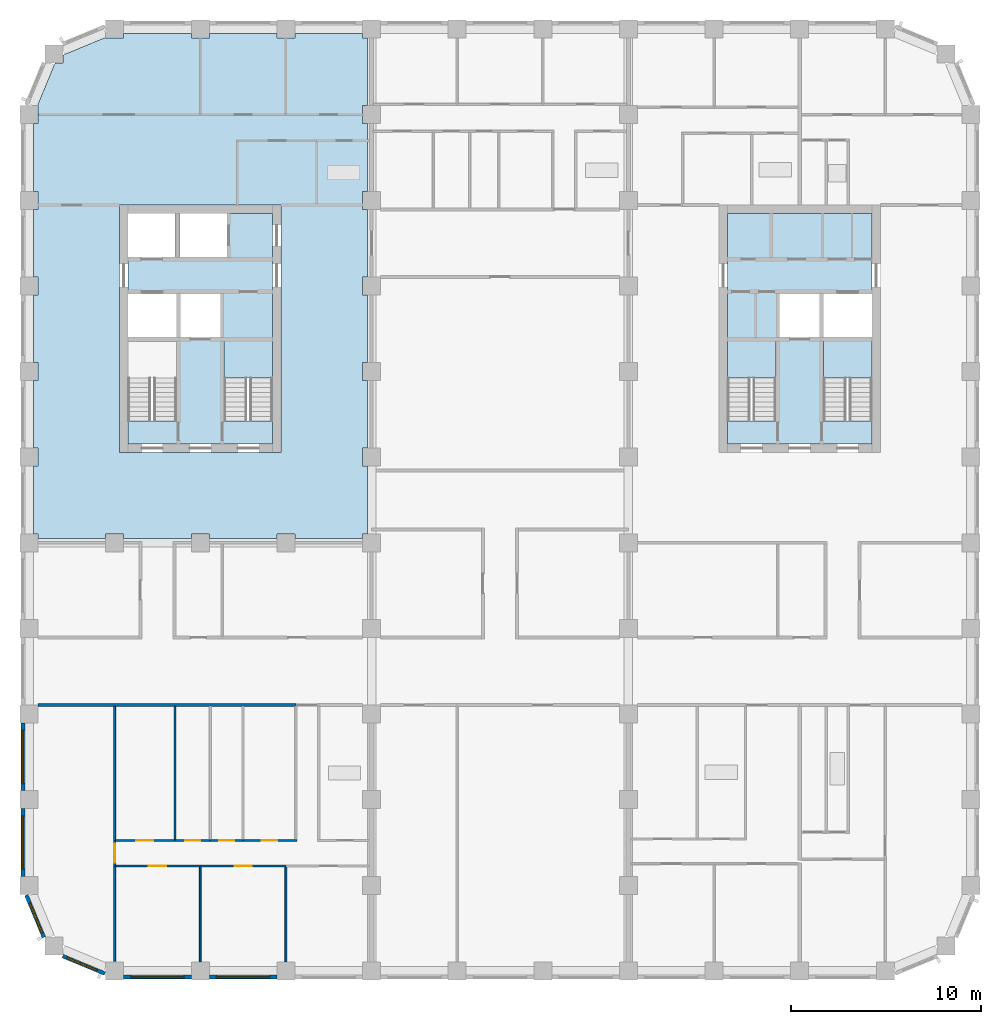
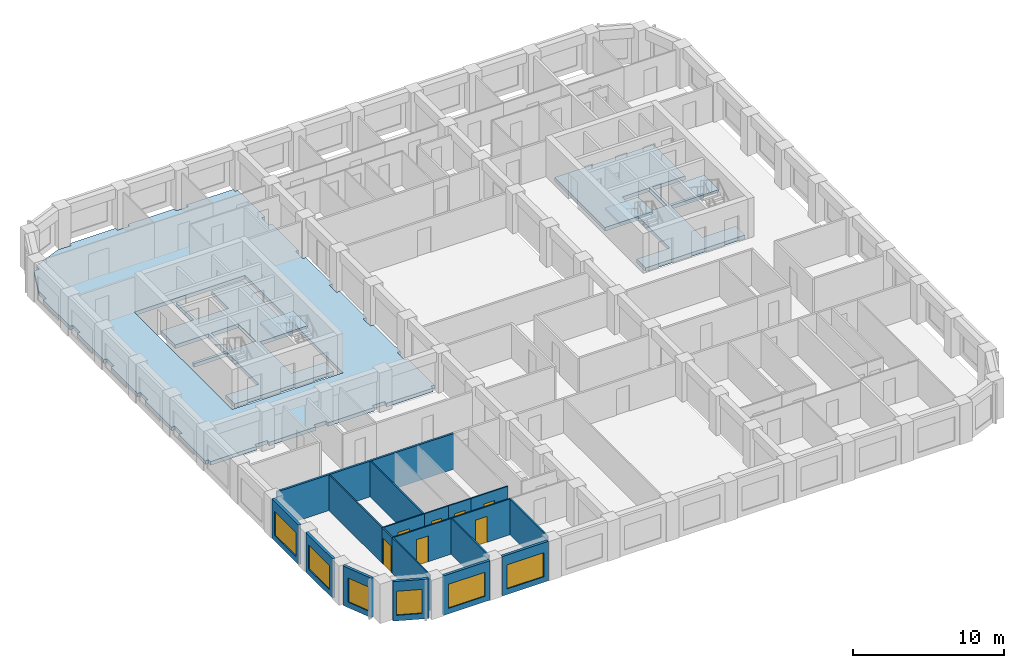
# One storey, part 2 of 13: 19 walls, 7 doors, 6 slabs, 6 windows, 13 openings, 3 elements without a shape of their own.
"""IFC4 building model written with IfcOpenShell, lengths in metres."""

from ifc_helpers import new_model, si_unit, direction, frame, frame_2d, origin, place, context, subcontext, project, spatial, polyline, rectangle, outline, extrude, material, layer, layer_set, type_object, element, fill, aggregate, save


model = new_model("IFC4")

# Units and contexts
model_context = context("Model", 3, precision=1e-05, world=origin(), true_north=direction((0.0, 1.0)))
body_context = subcontext(model_context, "Body", "Model", "MODEL_VIEW")
ifc_project = project(units=[si_unit("LENGTHUNIT", "METRE"), si_unit("AREAUNIT", "SQUARE_METRE"), si_unit("VOLUMEUNIT", "CUBIC_METRE"), si_unit("PLANEANGLEUNIT", "RADIAN"), si_unit("MASSUNIT", "GRAM", prefix="KILO")], contexts=[model_context])

# Site, building, storey
site_placement = place(None, origin())
site = spatial("IfcSite", under=ifc_project, at=site_placement, CompositionType="ELEMENT")
building_placement = place(site_placement, origin())
building = spatial("IfcBuilding", under=site, at=building_placement, Name="Girih Gate Residences", CompositionType="ELEMENT")
storey_placement = place(building_placement, frame((0.0, 0.0, 136.60009765625)))
storey = spatial("IfcBuildingStorey", under=building, at=storey_placement, Name="L38", CompositionType="ELEMENT", Elevation=136.60009765625)

# Slabs
ifc_material_1 = material(Name="Concrete C40/50", Category="concrete")
ifc_layer_1 = layer(ifc_material_1, 0.300048828125)
ifc_layer_set_1 = layer_set([ifc_layer_1], Name="Core floor slab 300")
slab_type_1 = type_object("IfcSlabType", Name="Core floor slab 300", PredefinedType="FLOOR", material=ifc_layer_set_1)
slab_1_placement = place(storey_placement, frame((0.0, 0.0, -0.300048828125)))
element("IfcSlab", 1, at=slab_1_placement, inside=storey, type_object=slab_type_1, Name="L38 W core floor", PredefinedType="FLOOR", context=body_context, shape_type="SweptSolid", body=[
    extrude(outline(polyline([(12.800048828125, 27.699951171875), (5.199951171875, 27.699951171875), (5.199951171875, 28.900634765625), (7.75, 28.900634765625), (7.75, 33.10009765625), (5.199951171875, 33.10009765625), (5.199951171875, 33.300048828125), (7.75, 33.300048828125), (7.75, 35.60009765625), (5.199951171875, 35.60009765625), (5.199951171875, 37.5), (7.699951171875, 37.5), (7.699951171875, 39.800048828125), (7.89990234375, 39.800048828125), (7.89990234375, 37.5), (10.39990234375, 37.5), (10.39990234375, 39.800048828125), (12.800048828125, 39.800048828125), (12.800048828125, 33.10009765625), (10.25, 33.10009765625), (10.25, 28.900634765625), (12.800048828125, 28.900634765625), (12.800048828125, 27.699951171875)]), holes=[polyline([(7.949951171875, 33.300048828125), (10.050048828125, 33.300048828125), (10.050048828125, 35.60009765625), (7.949951171875, 35.60009765625), (7.949951171875, 33.300048828125)])]), origin(), (0.0, 0.0, 1.0), 0.300048828125),
])
slab_2_placement = place(storey_placement, frame((0.0, 0.0, -0.300048828125)))
element("IfcSlab", 2, at=slab_2_placement, inside=storey, type_object=slab_type_1, Name="L38 E core floor", PredefinedType="FLOOR", context=body_context, shape_type="SweptSolid", body=[
    extrude(outline(polyline([(44.300048828125, 27.699951171875), (36.699951171875, 27.699951171875), (36.699951171875, 28.900634765625), (39.25, 28.900634765625), (39.25, 33.10009765625), (36.699951171875, 33.10009765625), (36.699951171875, 39.800048828125), (44.300048828125, 39.800048828125), (44.300048828125, 35.60009765625), (41.75, 35.60009765625), (41.75, 33.300048828125), (44.300048828125, 33.300048828125), (44.300048828125, 33.10009765625), (41.75, 33.10009765625), (41.75, 28.900634765625), (44.300048828125, 28.900634765625), (44.300048828125, 27.699951171875)]), holes=[polyline([(39.449951171875, 33.300048828125), (41.550048828125, 33.300048828125), (41.550048828125, 35.60009765625), (39.449951171875, 35.60009765625), (39.449951171875, 33.300048828125)])]), origin(), (0.0, 0.0, 1.0), 0.300048828125),
])
ifc_layer_2 = layer(ifc_material_1, 0.300048828125)
ifc_layer_set_2 = layer_set([ifc_layer_2], Name="Floor slab PT 300 Concrete C40/50")
slab_type_2 = type_object("IfcSlabType", Name="Floor slab PT 300 Concrete C40/50", PredefinedType="FLOOR", material=ifc_layer_set_2)
slab_3_placement = place(storey_placement, frame((0.0, 0.0, -0.300048828125)))
element("IfcSlab", 3, at=slab_3_placement, inside=storey, type_object=slab_type_2, Name="Floor slab L38 3", PredefinedType="FLOOR", context=body_context, shape_type="SweptSolid", body=[
    extrude(outline(polyline([(0.22509765625, 26.52490234375), (0.22509765625, 22.97509765625), (0.47509765625, 22.97509765625), (0.47509765625, 22.72509765625), (4.02490234375, 22.72509765625), (4.02490234375, 22.97509765625), (4.97509765625, 22.97509765625), (4.97509765625, 22.72509765625), (8.52490234375, 22.72509765625), (8.52490234375, 22.97509765625), (9.47509765625, 22.97509765625), (9.47509765625, 22.72509765625), (13.02490234375, 22.72509765625), (13.02490234375, 22.97509765625), (13.97509765625, 22.97509765625), (13.97509765625, 22.72509765625), (17.52490234375, 22.72509765625), (17.52490234375, 22.97509765625), (17.77490234375, 22.97509765625), (17.77490234375, 26.52490234375), (17.52490234375, 26.52490234375), (17.52490234375, 27.47509765625), (17.77490234375, 27.47509765625), (17.77490234375, 31.02490234375), (17.52490234375, 31.02490234375), (17.52490234375, 31.97509765625), (17.77490234375, 31.97509765625), (17.77490234375, 35.52490234375), (17.52490234375, 35.52490234375), (17.52490234375, 36.47509765625), (17.77490234375, 36.47509765625), (17.77490234375, 40.02490234375), (17.52490234375, 40.02490234375), (17.52490234375, 40.97509765625), (17.77490234375, 40.97509765625), (17.77490234375, 44.52490234375), (17.52490234375, 44.52490234375), (17.52490234375, 45.47509765625), (17.77490234375, 45.47509765625), (17.77490234375, 49.02490234375), (17.52490234375, 49.02490234375), (17.52490234375, 49.27490234375), (13.97509765625, 49.27490234375), (13.97509765625, 49.02490234375), (13.02490234375, 49.02490234375), (13.02490234375, 49.27490234375), (9.47509765625, 49.27490234375), (9.47509765625, 49.02490234375), (8.52490234375, 49.02490234375), (8.52490234375, 49.27490234375), (4.97509765625, 49.27490234375), (4.97509765625, 49.02490234375), (4.02490234375, 49.02490234375), (4.02490234375, 49.059814453125), (1.79296875, 48.13525390625), (1.79296875, 47.70703125), (1.36474609375, 47.70703125), (0.440185546875, 45.47509765625), (0.47509765625, 45.47509765625), (0.47509765625, 44.52490234375), (0.22509765625, 44.52490234375), (0.22509765625, 40.97509765625), (0.47509765625, 40.97509765625), (0.47509765625, 40.02490234375), (0.22509765625, 40.02490234375), (0.22509765625, 36.47509765625), (0.47509765625, 36.47509765625), (0.47509765625, 35.52490234375), (0.22509765625, 35.52490234375), (0.22509765625, 31.97509765625), (0.47509765625, 31.97509765625), (0.47509765625, 31.02490234375), (0.22509765625, 31.02490234375), (0.22509765625, 27.47509765625), (0.47509765625, 27.47509765625), (0.47509765625, 26.52490234375), (0.22509765625, 26.52490234375)]), holes=[polyline([(13.25, 40.25), (13.25, 27.25), (4.75, 27.25), (4.75, 40.25), (13.25, 40.25)])]), origin(), (0.0, 0.0, 1.0), 0.300048828125),
])

# Stair, slab
stair_type = type_object("IfcStairType", Name="Exit stair", PredefinedType="HALF_TURN_STAIR", material=ifc_material_1)
stair_1_placement = place(storey_placement, origin())
stair_1 = element("IfcStair", 4, at=stair_1_placement, inside=storey, type_object=stair_type, Name="L38 Exit Stair ST-W2", PredefinedType="HALF_TURN_STAIR")
ifc_layer_3 = layer(ifc_material_1, 0.199951171875)
ifc_layer_set_3 = layer_set([ifc_layer_3], Name="Stair landing 200")
slab_type_3 = type_object("IfcSlabType", Name="Stair landing 200", PredefinedType="LANDING", material=ifc_layer_set_3)
slab_4_placement = place(storey_placement, frame((0.0, 0.0, 1.39990234375)))
slab_4 = element("IfcSlab", 5, at=slab_4_placement, type_object=slab_type_3, Name="ST-W2 landing 1", PredefinedType="LANDING", context=body_context, shape_type="SweptSolid", body=[
    extrude(outline(polyline([(12.800048828125, 31.14990234375), (12.800048828125, 33.10009765625), (10.25, 33.10009765625), (10.25, 31.14990234375), (12.800048828125, 31.14990234375)])), origin(), (0.0, 0.0, 1.0), 0.199951171875),
])
aggregate(stair_1, [slab_4])

stair_2_placement = place(storey_placement, origin())
stair_2 = element("IfcStair", 6, at=stair_2_placement, inside=storey, type_object=stair_type, Name="L38 Exit Stair ST-E1", PredefinedType="HALF_TURN_STAIR")
slab_5_placement = place(storey_placement, frame((0.0, 0.0, 1.39990234375)))
slab_5 = element("IfcSlab", 7, at=slab_5_placement, type_object=slab_type_3, Name="ST-E1 landing 1", PredefinedType="LANDING", context=body_context, shape_type="SweptSolid", body=[
    extrude(outline(polyline([(44.300048828125, 31.14990234375), (44.300048828125, 33.10009765625), (41.75, 33.10009765625), (41.75, 31.14990234375), (44.300048828125, 31.14990234375)])), origin(), (0.0, 0.0, 1.0), 0.199951171875),
])
aggregate(stair_2, [slab_5])

stair_3_placement = place(storey_placement, origin())
stair_3 = element("IfcStair", 8, at=stair_3_placement, inside=storey, type_object=stair_type, Name="L38 Exit Stair ST-E2", PredefinedType="HALF_TURN_STAIR")
slab_6_placement = place(storey_placement, frame((0.0, 0.0, 1.39990234375)))
slab_6 = element("IfcSlab", 9, at=slab_6_placement, type_object=slab_type_3, Name="ST-E2 landing 1", PredefinedType="LANDING", context=body_context, shape_type="SweptSolid", body=[
    extrude(outline(polyline([(39.25, 31.14990234375), (39.25, 33.10009765625), (36.699951171875, 33.10009765625), (36.699951171875, 31.14990234375), (39.25, 31.14990234375)])), origin(), (0.0, 0.0, 1.0), 0.199951171875),
])
aggregate(stair_3, [slab_6])

# Walls
ifc_material_2 = material(Name="Gypsum board on steel studs", Category="steel")
ifc_layer_4 = layer(ifc_material_2, 0.14990234375)
ifc_layer_set_4 = layer_set([ifc_layer_4], Name="Compartment wall 150 mm")
wall_type_1 = type_object("IfcWallType", Name="Compartment wall 150 mm", PredefinedType="PARTITIONING", material=ifc_layer_set_4)
wall_1_placement = place(storey_placement, frame((0.47509765625, 13.97509765625, 0.0), z_axis=(0.0, 0.0, 1.0), x_axis=(1.0, 0.0, 0.0)))
element("IfcWall", 10, at=wall_1_placement, inside=storey, type_object=wall_type_1, Name="L38 partition", PredefinedType="PARTITIONING", context=body_context, shape_type="SweptSolid", body=[
    extrude(rectangle(XDim=13.5498046875, YDim=0.14990234375, at=frame_2d((6.77490234375, 0.0))), origin(), (0.0, 0.0, 1.0), 2.89990234375),
])
ifc_layer_5 = layer(ifc_material_2, 0.10009765625)
ifc_layer_set_5 = layer_set([ifc_layer_5], Name="Partition 100 mm")
wall_type_2 = type_object("IfcWallType", Name="Partition 100 mm", PredefinedType="PARTITIONING", material=ifc_layer_set_5)
wall_2_placement = place(storey_placement, frame((9.0, 0.47509765625, 0.0), z_axis=(0.0, 0.0, 1.0), x_axis=(0.0, 1.0, 0.0)))
element("IfcWall", 11, at=wall_2_placement, inside=storey, type_object=wall_type_2, Name="L38 partition", PredefinedType="PARTITIONING", context=body_context, shape_type="SweptSolid", body=[
    extrude(rectangle(XDim=4.989990234375, YDim=0.10009765625, at=frame_2d((2.4951171875, 0.0))), origin(), (0.0, 0.0, 1.0), 2.89990234375),
])

# Wall, opening, door
wall_3_placement = place(storey_placement, frame((9.0, 5.514892578125, 0.0), z_axis=(0.0, 0.0, 1.0), x_axis=(-1.0, 0.0, 0.0)))
wall_3 = element("IfcWall", 12, at=wall_3_placement, inside=storey, type_object=wall_type_2, Name="L38 partition", PredefinedType="PARTITIONING", context=body_context, shape_type="SweptSolid", body=[
    extrude(rectangle(XDim=4.449951171875, YDim=0.10009765625, at=frame_2d((2.22509765625, 0.0))), origin(), (0.0, 0.0, 1.0), 2.89990234375),
])
opening_1_placement = place(wall_3_placement, frame((1.800048828125, 0.0, 0.0)))
opening_1 = element("IfcOpeningElement", 13, at=opening_1_placement, cuts=wall_3, Name="Opening A38-002", PredefinedType="OPENING", context=body_context, shape_type="SweptSolid", body=[
    extrude(rectangle(XDim=0.89990234375, YDim=2.10009765625, at=frame_2d((0.449951171875, 1.050048828125))), frame((0.0, 0.06005859375, 0.0), z_axis=(0.0, -1.0, 0.0), x_axis=(1.0, 0.0, 0.0)), (0.0, 0.0, 1.0), 0.1201171875),
])
ifc_material_3 = material(Name="Timber", Category="wood")
door_type_1 = type_object("IfcDoorType", Name="Bedroom door 900x2100", OperationType="NOTDEFINED", PredefinedType="DOOR", material=ifc_material_3)
door_1_placement = place(opening_1_placement, origin())
door_1 = element("IfcDoor", 14, at=door_1_placement, inside=storey, type_object=door_type_1, Name="Door A38-002", OperationType="SINGLE_SWING_RIGHT", OverallHeight=2.10009765625, OverallWidth=0.89990234375, PredefinedType="DOOR", context=body_context, shape_type="SweptSolid", body=[
    extrude(rectangle(XDim=0.89990234375, YDim=2.10009765625, at=frame_2d((0.449951171875, 1.050048828125))), frame((0.0, 0.02490234375, 0.0), z_axis=(0.0, -1.0, 0.0), x_axis=(1.0, 0.0, 0.0)), (0.0, 0.0, 1.0), 0.050048828125),
])
fill(opening_1, door_1)

# Walls
wall_4_placement = place(storey_placement, frame((4.5, 0.51416015625, 0.0), z_axis=(0.0, 0.0, 1.0), x_axis=(0.0, 1.0, 0.0)))
element("IfcWall", 15, at=wall_4_placement, inside=storey, type_object=wall_type_2, Name="L38 partition", PredefinedType="PARTITIONING", context=body_context, shape_type="SweptSolid", body=[
    extrude(rectangle(XDim=5.000732421875, YDim=0.10009765625, at=frame_2d((2.50048828125, 0.0))), origin(), (0.0, 0.0, 1.0), 2.89990234375),
])
wall_5_placement = place(storey_placement, frame((13.5, 0.47509765625, 0.0), z_axis=(0.0, 0.0, 1.0), x_axis=(0.0, 1.0, 0.0)))
element("IfcWall", 16, at=wall_5_placement, inside=storey, type_object=wall_type_2, Name="L38 partition", PredefinedType="PARTITIONING", context=body_context, shape_type="SweptSolid", body=[
    extrude(rectangle(XDim=4.989990234375, YDim=0.10009765625, at=frame_2d((2.4951171875, 0.0))), origin(), (0.0, 0.0, 1.0), 2.89990234375),
])

# Wall, opening, door
wall_6_placement = place(storey_placement, frame((13.5, 5.514892578125, 0.0), z_axis=(0.0, 0.0, 1.0), x_axis=(-1.0, 0.0, 0.0)))
wall_6 = element("IfcWall", 17, at=wall_6_placement, inside=storey, type_object=wall_type_2, Name="L38 partition", PredefinedType="PARTITIONING", context=body_context, shape_type="SweptSolid", body=[
    extrude(rectangle(XDim=4.5, YDim=0.10009765625, at=frame_2d((2.25, 0.0))), origin(), (0.0, 0.0, 1.0), 2.89990234375),
])
opening_2_placement = place(wall_6_placement, frame((1.800048828125, 0.0, 0.0)))
opening_2 = element("IfcOpeningElement", 18, at=opening_2_placement, cuts=wall_6, Name="Opening A38-003", PredefinedType="OPENING", context=body_context, shape_type="SweptSolid", body=[
    extrude(rectangle(XDim=0.89990234375, YDim=2.10009765625, at=frame_2d((0.449951171875, 1.050048828125))), frame((0.0, 0.06005859375, 0.0), z_axis=(0.0, -1.0, 0.0), x_axis=(1.0, 0.0, 0.0)), (0.0, 0.0, 1.0), 0.1201171875),
])
door_2_placement = place(opening_2_placement, origin())
door_2 = element("IfcDoor", 19, at=door_2_placement, inside=storey, type_object=door_type_1, Name="Door A38-003", OperationType="SINGLE_SWING_LEFT", OverallHeight=2.10009765625, OverallWidth=0.89990234375, PredefinedType="DOOR", context=body_context, shape_type="SweptSolid", body=[
    extrude(rectangle(XDim=0.89990234375, YDim=2.10009765625, at=frame_2d((0.449951171875, 1.050048828125))), frame((0.0, 0.02490234375, 0.0), z_axis=(0.0, -1.0, 0.0), x_axis=(1.0, 0.0, 0.0)), (0.0, 0.0, 1.0), 0.050048828125),
])
fill(opening_2, door_2)

wall_7_placement = place(storey_placement, frame((11.24560546875, 6.85498046875, 0.0), z_axis=(0.0, 0.0, 1.0), x_axis=(1.0, 0.0, 0.0)))
wall_7 = element("IfcWall", 20, at=wall_7_placement, inside=storey, type_object=wall_type_2, Name="L38 partition", PredefinedType="PARTITIONING", context=body_context, shape_type="SweptSolid", body=[
    extrude(rectangle(XDim=2.829345703125, YDim=0.10009765625, at=frame_2d((1.41455078125, 0.0))), origin(), (0.0, 0.0, 1.0), 2.89990234375),
])
opening_3_placement = place(wall_7_placement, frame((0.98974609375, 0.0, 0.0)))
opening_3 = element("IfcOpeningElement", 21, at=opening_3_placement, cuts=wall_7, Name="Opening A38-005", PredefinedType="OPENING", context=body_context, shape_type="SweptSolid", body=[
    extrude(rectangle(XDim=0.800048828125, YDim=2.10009765625, at=frame_2d((0.39990234375, 1.050048828125))), frame((0.0, 0.06005859375, 0.0), z_axis=(0.0, -1.0, 0.0), x_axis=(1.0, 0.0, 0.0)), (0.0, 0.0, 1.0), 0.1201171875),
])
door_type_2 = type_object("IfcDoorType", Name="Store door 800x2100", OperationType="NOTDEFINED", PredefinedType="DOOR", material=ifc_material_3)
door_3_placement = place(opening_3_placement, origin())
door_3 = element("IfcDoor", 22, at=door_3_placement, inside=storey, type_object=door_type_2, Name="Door A38-005", OperationType="SINGLE_SWING_LEFT", OverallHeight=2.10009765625, OverallWidth=0.800048828125, PredefinedType="DOOR", context=body_context, shape_type="SweptSolid", body=[
    extrude(rectangle(XDim=0.800048828125, YDim=2.10009765625, at=frame_2d((0.39990234375, 1.050048828125))), frame((0.0, 0.02490234375, 0.0), z_axis=(0.0, -1.0, 0.0), x_axis=(1.0, 0.0, 0.0)), (0.0, 0.0, 1.0), 0.050048828125),
])
fill(opening_3, door_3)

wall_8_placement = place(storey_placement, frame((4.550048828125, 6.85498046875, 0.0), z_axis=(0.0, 0.0, 1.0), x_axis=(1.0, 0.0, 0.0)))
wall_8 = element("IfcWall", 23, at=wall_8_placement, inside=storey, type_object=wall_type_2, Name="L38 partition", PredefinedType="PARTITIONING", context=body_context, shape_type="SweptSolid", body=[
    extrude(rectangle(XDim=3.120361328125, YDim=0.10009765625, at=frame_2d((1.56005859375, 0.0))), origin(), (0.0, 0.0, 1.0), 2.89990234375),
])
opening_4_placement = place(wall_8_placement, frame((1.085205078125, 0.0, 0.0)))
opening_4 = element("IfcOpeningElement", 24, at=opening_4_placement, cuts=wall_8, Name="Opening A38-006", PredefinedType="OPENING", context=body_context, shape_type="SweptSolid", body=[
    extrude(rectangle(XDim=0.89990234375, YDim=2.10009765625, at=frame_2d((0.449951171875, 1.050048828125))), frame((0.0, 0.06005859375, 0.0), z_axis=(0.0, -1.0, 0.0), x_axis=(1.0, 0.0, 0.0)), (0.0, 0.0, 1.0), 0.1201171875),
])
door_type_3 = type_object("IfcDoorType", Name="Kitchen door 900x2100", OperationType="NOTDEFINED", PredefinedType="DOOR", material=ifc_material_3)
door_4_placement = place(opening_4_placement, origin())
door_4 = element("IfcDoor", 25, at=door_4_placement, inside=storey, type_object=door_type_3, Name="Door A38-006", OperationType="SINGLE_SWING_LEFT", OverallHeight=2.10009765625, OverallWidth=0.89990234375, PredefinedType="DOOR", context=body_context, shape_type="SweptSolid", body=[
    extrude(rectangle(XDim=0.89990234375, YDim=2.10009765625, at=frame_2d((0.449951171875, 1.050048828125))), frame((0.0, 0.02490234375, 0.0), z_axis=(0.0, -1.0, 0.0), x_axis=(1.0, 0.0, 0.0)), (0.0, 0.0, 1.0), 0.050048828125),
])
fill(opening_4, door_4)

wall_9_placement = place(storey_placement, frame((4.5, 5.514892578125, 0.0), z_axis=(0.0, 0.0, 1.0), x_axis=(0.0, 1.0, 0.0)))
wall_9 = element("IfcWall", 26, at=wall_9_placement, inside=storey, type_object=wall_type_2, Name="L38 partition", PredefinedType="PARTITIONING", context=body_context, shape_type="SweptSolid", body=[
    extrude(rectangle(XDim=1.340087890625, YDim=0.10009765625, at=frame_2d((0.669921875, 0.0))), origin(), (0.0, 0.0, 1.0), 2.89990234375),
])
opening_5_placement = place(wall_9_placement, frame((0.169921875, 0.0, 0.0)))
opening_5 = element("IfcOpeningElement", 27, at=opening_5_placement, cuts=wall_9, Name="Opening A38-007", PredefinedType="OPENING", context=body_context, shape_type="SweptSolid", body=[
    extrude(rectangle(XDim=1.0, YDim=2.10009765625, at=frame_2d((0.5, 1.050048828125))), frame((0.0, 0.06005859375, 0.0), z_axis=(0.0, -1.0, 0.0), x_axis=(1.0, 0.0, 0.0)), (0.0, 0.0, 1.0), 0.1201171875),
])
door_type_4 = type_object("IfcDoorType", Name="Living room door 1000x2100", OperationType="NOTDEFINED", PredefinedType="DOOR", material=ifc_material_3)
door_5_placement = place(opening_5_placement, origin())
door_5 = element("IfcDoor", 28, at=door_5_placement, inside=storey, type_object=door_type_4, Name="Door A38-007", OperationType="SINGLE_SWING_LEFT", OverallHeight=2.10009765625, OverallWidth=1.0, PredefinedType="DOOR", context=body_context, shape_type="SweptSolid", body=[
    extrude(rectangle(XDim=1.0, YDim=2.10009765625, at=frame_2d((0.5, 1.050048828125))), frame((0.0, 0.02490234375, 0.0), z_axis=(0.0, -1.0, 0.0), x_axis=(1.0, 0.0, 0.0)), (0.0, 0.0, 1.0), 0.050048828125),
])
fill(opening_5, door_5)

wall_10_placement = place(storey_placement, frame((9.5322265625, 6.85498046875, 0.0), z_axis=(0.0, 0.0, 1.0), x_axis=(1.0, 0.0, 0.0)))
wall_10 = element("IfcWall", 29, at=wall_10_placement, inside=storey, type_object=wall_type_2, Name="L38 partition", PredefinedType="PARTITIONING", context=body_context, shape_type="SweptSolid", body=[
    extrude(rectangle(XDim=1.71337890625, YDim=0.10009765625, at=frame_2d((0.856689453125, 0.0))), origin(), (0.0, 0.0, 1.0), 2.89990234375),
])
opening_6_placement = place(wall_10_placement, frame((0.456787109375, 0.0, 0.0)))
opening_6 = element("IfcOpeningElement", 30, at=opening_6_placement, cuts=wall_10, Name="Opening A38-008", PredefinedType="OPENING", context=body_context, shape_type="SweptSolid", body=[
    extrude(rectangle(XDim=0.800048828125, YDim=2.10009765625, at=frame_2d((0.39990234375, 1.050048828125))), frame((0.0, 0.06005859375, 0.0), z_axis=(0.0, -1.0, 0.0), x_axis=(1.0, 0.0, 0.0)), (0.0, 0.0, 1.0), 0.1201171875),
])
door_6_placement = place(opening_6_placement, origin())
door_6 = element("IfcDoor", 31, at=door_6_placement, inside=storey, type_object=door_type_2, Name="Door A38-008", OperationType="SINGLE_SWING_RIGHT", OverallHeight=2.10009765625, OverallWidth=0.800048828125, PredefinedType="DOOR", context=body_context, shape_type="SweptSolid", body=[
    extrude(rectangle(XDim=0.800048828125, YDim=2.10009765625, at=frame_2d((0.39990234375, 1.050048828125))), frame((0.0, 0.02490234375, 0.0), z_axis=(0.0, -1.0, 0.0), x_axis=(1.0, 0.0, 0.0)), (0.0, 0.0, 1.0), 0.050048828125),
])
fill(opening_6, door_6)

wall_11_placement = place(storey_placement, frame((7.67041015625, 6.85498046875, 0.0), z_axis=(0.0, 0.0, 1.0), x_axis=(1.0, 0.0, 0.0)))
wall_11 = element("IfcWall", 32, at=wall_11_placement, inside=storey, type_object=wall_type_2, Name="L38 partition", PredefinedType="PARTITIONING", context=body_context, shape_type="SweptSolid", body=[
    extrude(rectangle(XDim=1.86181640625, YDim=0.10009765625, at=frame_2d((0.930908203125, 0.0))), origin(), (0.0, 0.0, 1.0), 2.89990234375),
])
opening_7_placement = place(wall_11_placement, frame((0.531005859375, 0.0, 0.0)))
opening_7 = element("IfcOpeningElement", 33, at=opening_7_placement, cuts=wall_11, Name="Opening A38-009", PredefinedType="OPENING", context=body_context, shape_type="SweptSolid", body=[
    extrude(rectangle(XDim=0.800048828125, YDim=2.10009765625, at=frame_2d((0.39990234375, 1.050048828125))), frame((0.0, 0.06005859375, 0.0), z_axis=(0.0, -1.0, 0.0), x_axis=(1.0, 0.0, 0.0)), (0.0, 0.0, 1.0), 0.1201171875),
])
door_7_placement = place(opening_7_placement, origin())
door_7 = element("IfcDoor", 34, at=door_7_placement, inside=storey, type_object=door_type_2, Name="Door A38-009", OperationType="SINGLE_SWING_LEFT", OverallHeight=2.10009765625, OverallWidth=0.800048828125, PredefinedType="DOOR", context=body_context, shape_type="SweptSolid", body=[
    extrude(rectangle(XDim=0.800048828125, YDim=2.10009765625, at=frame_2d((0.39990234375, 1.050048828125))), frame((0.0, 0.02490234375, 0.0), z_axis=(0.0, -1.0, 0.0), x_axis=(1.0, 0.0, 0.0)), (0.0, 0.0, 1.0), 0.050048828125),
])
fill(opening_7, door_7)

# Walls
wall_12_placement = place(storey_placement, frame((4.5, 6.85498046875, 0.0), z_axis=(0.0, 0.0, 1.0), x_axis=(0.0, 1.0, 0.0)))
element("IfcWall", 35, at=wall_12_placement, inside=storey, type_object=wall_type_2, Name="L38 partition", PredefinedType="PARTITIONING", context=body_context, shape_type="SweptSolid", body=[
    extrude(rectangle(XDim=7.044921875, YDim=0.10009765625, at=frame_2d((3.5224609375, 0.0))), origin(), (0.0, 0.0, 1.0), 2.89990234375),
])
wall_13_placement = place(storey_placement, frame((7.669921875, 6.905029296875, 0.0), z_axis=(0.0, 0.0, 1.0), x_axis=(0.0, 1.0, 0.0)))
element("IfcWall", 36, at=wall_13_placement, inside=storey, type_object=wall_type_2, Name="L38 partition", PredefinedType="PARTITIONING", context=body_context, shape_type="SweptSolid", body=[
    extrude(rectangle(XDim=6.994873046875, YDim=0.10009765625, at=frame_2d((3.49755859375, 0.0))), origin(), (0.0, 0.0, 1.0), 2.89990234375),
])

# Wall, opening, window
ifc_material_4 = material(Name="Precast concrete C50/60", Category="concrete")
ifc_layer_6 = layer(ifc_material_4, 0.06005859375, Name="Outer leaf")
ifc_material_5 = material(Name="Rigid PIR insulation")
ifc_layer_7 = layer(ifc_material_5, 0.090087890625, Name="Insulation")
ifc_material_6 = material(Name="Precast concrete C40/50", Category="concrete")
ifc_layer_8 = layer(ifc_material_6, 0.050048828125, Name="Inner leaf")
ifc_layer_set_6 = layer_set([ifc_layer_6, ifc_layer_7, ifc_layer_8], Name="Precast concrete C50/60 external wall 200")
wall_type_3 = type_object("IfcWallType", Name="Precast concrete C50/60 external wall 200", PredefinedType="SOLIDWALL", material=ifc_layer_set_6)
wall_14_placement = place(storey_placement, frame((0.7802734375, 1.76708984375, 0.0), z_axis=(0.0, 0.0, 1.0), x_axis=(-0.382680855588, 0.923880599843, 0.0)))
wall_14 = element("IfcWall", 37, at=wall_14_placement, inside=storey, type_object=wall_type_3, Name="External wall SW0000_0045.0", PredefinedType="SOLIDWALL", context=body_context, shape_type="SweptSolid", body=[
    extrude(rectangle(XDim=2.402587890625, YDim=0.199951171875, at=frame_2d((1.201171875, 0.0))), origin(), (0.0, 0.0, 1.0), 3.199951171875),
])
opening_8_placement = place(wall_14_placement, frame((0.25146484375, 0.0, 0.449951171875)))
opening_8 = element("IfcOpeningElement", 38, at=opening_8_placement, cuts=wall_14, Name="Opening W-2E", PredefinedType="OPENING", context=body_context, shape_type="SweptSolid", body=[
    extrude(rectangle(XDim=1.699951171875, YDim=1.949951171875, at=frame_2d((0.85009765625, 0.97509765625))), frame((0.0, 0.10986328125, 0.0), z_axis=(0.0, -1.0, 0.0), x_axis=(1.0, 0.0, 0.0)), (0.0, 0.0, 1.0), 0.219970703125),
])
ifc_material_7 = material(Name="Double glazing in aluminium frame", Category="aluminium")
window_type_1 = type_object("IfcWindowType", Name="Window W-2E 1700x1950", PartitioningType="SINGLE_PANEL", PredefinedType="WINDOW", material=ifc_material_7)
window_1_placement = place(opening_8_placement, origin())
window_1 = element("IfcWindow", 39, at=window_1_placement, inside=storey, type_object=window_type_1, Name="Window W-2E SW0000_0045.0", OverallHeight=1.949951171875, OverallWidth=1.699951171875, PartitioningType="SINGLE_PANEL", PredefinedType="WINDOW", context=body_context, shape_type="SweptSolid", body=[
    extrude(rectangle(XDim=1.699951171875, YDim=1.949951171875, at=frame_2d((0.85009765625, 0.97509765625))), frame((0.0, 0.030029296875, 0.0), z_axis=(0.0, -1.0, 0.0), x_axis=(1.0, 0.0, 0.0)), (0.0, 0.0, 1.0), 0.06005859375),
])
fill(opening_8, window_1)

wall_15_placement = place(storey_placement, frame((3.98681640625, -0.13916015625, 0.0), z_axis=(0.0, 0.0, 1.0), x_axis=(-0.923880599843, 0.382680855588, 0.0)))
wall_15 = element("IfcWall", 40, at=wall_15_placement, inside=storey, type_object=wall_type_3, Name="External wall SW0013_0013.0", PredefinedType="SOLIDWALL", context=body_context, shape_type="SweptSolid", body=[
    extrude(rectangle(XDim=2.402587890625, YDim=0.199951171875, at=frame_2d((1.201171875, 0.0))), origin(), (0.0, 0.0, 1.0), 3.199951171875),
])
opening_9_placement = place(wall_15_placement, frame((0.451171875, 0.0, 0.449951171875)))
opening_9 = element("IfcOpeningElement", 41, at=opening_9_placement, cuts=wall_15, Name="Opening W-2E", PredefinedType="OPENING", context=body_context, shape_type="SweptSolid", body=[
    extrude(rectangle(XDim=1.699951171875, YDim=1.949951171875, at=frame_2d((0.85009765625, 0.97509765625))), frame((0.0, 0.10986328125, 0.0), z_axis=(0.0, -1.0, 0.0), x_axis=(1.0, 0.0, 0.0)), (0.0, 0.0, 1.0), 0.219970703125),
])
window_2_placement = place(opening_9_placement, origin())
window_2 = element("IfcWindow", 42, at=window_2_placement, inside=storey, type_object=window_type_1, Name="Window W-2E SW0013_0013.0", OverallHeight=1.949951171875, OverallWidth=1.699951171875, PartitioningType="SINGLE_PANEL", PredefinedType="WINDOW", context=body_context, shape_type="SweptSolid", body=[
    extrude(rectangle(XDim=1.699951171875, YDim=1.949951171875, at=frame_2d((0.85009765625, 0.97509765625))), frame((0.0, 0.030029296875, 0.0), z_axis=(0.0, -1.0, 0.0), x_axis=(1.0, 0.0, 0.0)), (0.0, 0.0, 1.0), 0.06005859375),
])
fill(opening_9, window_2)

wall_16_placement = place(storey_placement, frame((8.52490234375, -0.324951171875, 0.0), z_axis=(0.0, 0.0, 1.0), x_axis=(-1.0, 0.0, 0.0)))
wall_16 = element("IfcWall", 43, at=wall_16_placement, inside=storey, type_object=wall_type_3, Name="External wall S0045_0000.0", PredefinedType="SOLIDWALL", context=body_context, shape_type="SweptSolid", body=[
    extrude(rectangle(XDim=3.5498046875, YDim=0.199951171875, at=frame_2d((1.77490234375, 0.0))), origin(), (0.0, 0.0, 1.0), 3.199951171875),
])
opening_10_placement = place(wall_16_placement, frame((0.375, 0.0, 0.449951171875)))
opening_10 = element("IfcOpeningElement", 44, at=opening_10_placement, cuts=wall_16, Name="Opening W-1B", PredefinedType="OPENING", context=body_context, shape_type="SweptSolid", body=[
    extrude(rectangle(XDim=2.800048828125, YDim=1.949951171875, at=frame_2d((1.39990234375, 0.97509765625))), frame((0.0, 0.10986328125, 0.0), z_axis=(0.0, -1.0, 0.0), x_axis=(1.0, 0.0, 0.0)), (0.0, 0.0, 1.0), 0.219970703125),
])
window_type_2 = type_object("IfcWindowType", Name="Window W-1B 2800x1950", PartitioningType="SINGLE_PANEL", PredefinedType="WINDOW", material=ifc_material_7)
window_3_placement = place(opening_10_placement, origin())
window_3 = element("IfcWindow", 45, at=window_3_placement, inside=storey, type_object=window_type_2, Name="Window W-1B S0045_0000.0", OverallHeight=1.949951171875, OverallWidth=2.800048828125, PartitioningType="SINGLE_PANEL", PredefinedType="WINDOW", context=body_context, shape_type="SweptSolid", body=[
    extrude(rectangle(XDim=2.800048828125, YDim=1.949951171875, at=frame_2d((1.39990234375, 0.97509765625))), frame((0.0, 0.030029296875, 0.0), z_axis=(0.0, -1.0, 0.0), x_axis=(1.0, 0.0, 0.0)), (0.0, 0.0, 1.0), 0.06005859375),
])
fill(opening_10, window_3)

wall_17_placement = place(storey_placement, frame((13.02490234375, -0.324951171875, 0.0), z_axis=(0.0, 0.0, 1.0), x_axis=(-1.0, 0.0, 0.0)))
wall_17 = element("IfcWall", 46, at=wall_17_placement, inside=storey, type_object=wall_type_3, Name="External wall S0045_0000.1", PredefinedType="SOLIDWALL", context=body_context, shape_type="SweptSolid", body=[
    extrude(rectangle(XDim=3.5498046875, YDim=0.199951171875, at=frame_2d((1.77490234375, 0.0))), origin(), (0.0, 0.0, 1.0), 3.199951171875),
])
opening_11_placement = place(wall_17_placement, frame((0.375, 0.0, 0.449951171875)))
opening_11 = element("IfcOpeningElement", 47, at=opening_11_placement, cuts=wall_17, Name="Opening W-1B", PredefinedType="OPENING", context=body_context, shape_type="SweptSolid", body=[
    extrude(rectangle(XDim=2.800048828125, YDim=1.949951171875, at=frame_2d((1.39990234375, 0.97509765625))), frame((0.0, 0.10986328125, 0.0), z_axis=(0.0, -1.0, 0.0), x_axis=(1.0, 0.0, 0.0)), (0.0, 0.0, 1.0), 0.219970703125),
])
window_4_placement = place(opening_11_placement, origin())
window_4 = element("IfcWindow", 48, at=window_4_placement, inside=storey, type_object=window_type_2, Name="Window W-1B S0045_0000.1", OverallHeight=1.949951171875, OverallWidth=2.800048828125, PartitioningType="SINGLE_PANEL", PredefinedType="WINDOW", context=body_context, shape_type="SweptSolid", body=[
    extrude(rectangle(XDim=2.800048828125, YDim=1.949951171875, at=frame_2d((1.39990234375, 0.97509765625))), frame((0.0, 0.030029296875, 0.0), z_axis=(0.0, -1.0, 0.0), x_axis=(1.0, 0.0, 0.0)), (0.0, 0.0, 1.0), 0.06005859375),
])
fill(opening_11, window_4)

wall_18_placement = place(storey_placement, frame((-0.324951171875, 9.47509765625, 0.0), z_axis=(0.0, 0.0, 1.0), x_axis=(0.0, 1.0, 0.0)))
wall_18 = element("IfcWall", 49, at=wall_18_placement, inside=storey, type_object=wall_type_3, Name="External wall W0000_0450.7", PredefinedType="SOLIDWALL", context=body_context, shape_type="SweptSolid", body=[
    extrude(rectangle(XDim=3.5498046875, YDim=0.199951171875, at=frame_2d((1.77490234375, 0.0))), origin(), (0.0, 0.0, 1.0), 3.199951171875),
])
opening_12_placement = place(wall_18_placement, frame((0.375, 0.0, 0.449951171875)))
opening_12 = element("IfcOpeningElement", 50, at=opening_12_placement, cuts=wall_18, Name="Opening W-1B", PredefinedType="OPENING", context=body_context, shape_type="SweptSolid", body=[
    extrude(rectangle(XDim=2.800048828125, YDim=1.949951171875, at=frame_2d((1.39990234375, 0.97509765625))), frame((0.0, 0.10986328125, 0.0), z_axis=(0.0, -1.0, 0.0), x_axis=(1.0, 0.0, 0.0)), (0.0, 0.0, 1.0), 0.219970703125),
])
window_5_placement = place(opening_12_placement, origin())
window_5 = element("IfcWindow", 51, at=window_5_placement, inside=storey, type_object=window_type_2, Name="Window W-1B W0000_0450.7", OverallHeight=1.949951171875, OverallWidth=2.800048828125, PartitioningType="SINGLE_PANEL", PredefinedType="WINDOW", context=body_context, shape_type="SweptSolid", body=[
    extrude(rectangle(XDim=2.800048828125, YDim=1.949951171875, at=frame_2d((1.39990234375, 0.97509765625))), frame((0.0, 0.030029296875, 0.0), z_axis=(0.0, -1.0, 0.0), x_axis=(1.0, 0.0, 0.0)), (0.0, 0.0, 1.0), 0.06005859375),
])
fill(opening_12, window_5)

wall_19_placement = place(storey_placement, frame((-0.324951171875, 4.97509765625, 0.0), z_axis=(0.0, 0.0, 1.0), x_axis=(0.0, 1.0, 0.0)))
wall_19 = element("IfcWall", 52, at=wall_19_placement, inside=storey, type_object=wall_type_3, Name="External wall W0000_0450.8", PredefinedType="SOLIDWALL", context=body_context, shape_type="SweptSolid", body=[
    extrude(rectangle(XDim=3.5498046875, YDim=0.199951171875, at=frame_2d((1.77490234375, 0.0))), origin(), (0.0, 0.0, 1.0), 3.199951171875),
])
opening_13_placement = place(wall_19_placement, frame((0.375, 0.0, 0.449951171875)))
opening_13 = element("IfcOpeningElement", 53, at=opening_13_placement, cuts=wall_19, Name="Opening W-1B", PredefinedType="OPENING", context=body_context, shape_type="SweptSolid", body=[
    extrude(rectangle(XDim=2.800048828125, YDim=1.949951171875, at=frame_2d((1.39990234375, 0.97509765625))), frame((0.0, 0.10986328125, 0.0), z_axis=(0.0, -1.0, 0.0), x_axis=(1.0, 0.0, 0.0)), (0.0, 0.0, 1.0), 0.219970703125),
])
window_6_placement = place(opening_13_placement, origin())
window_6 = element("IfcWindow", 54, at=window_6_placement, inside=storey, type_object=window_type_2, Name="Window W-1B W0000_0450.8", OverallHeight=1.949951171875, OverallWidth=2.800048828125, PartitioningType="SINGLE_PANEL", PredefinedType="WINDOW", context=body_context, shape_type="SweptSolid", body=[
    extrude(rectangle(XDim=2.800048828125, YDim=1.949951171875, at=frame_2d((1.39990234375, 0.97509765625))), frame((0.0, 0.030029296875, 0.0), z_axis=(0.0, -1.0, 0.0), x_axis=(1.0, 0.0, 0.0)), (0.0, 0.0, 1.0), 0.06005859375),
])
fill(opening_13, window_6)

save(model, "model.ifc")
